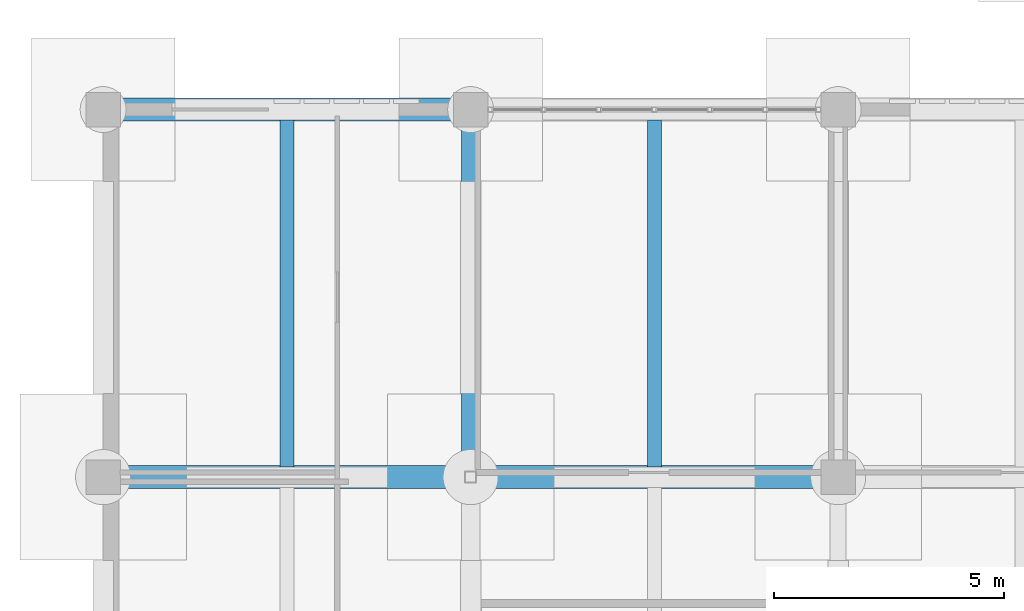
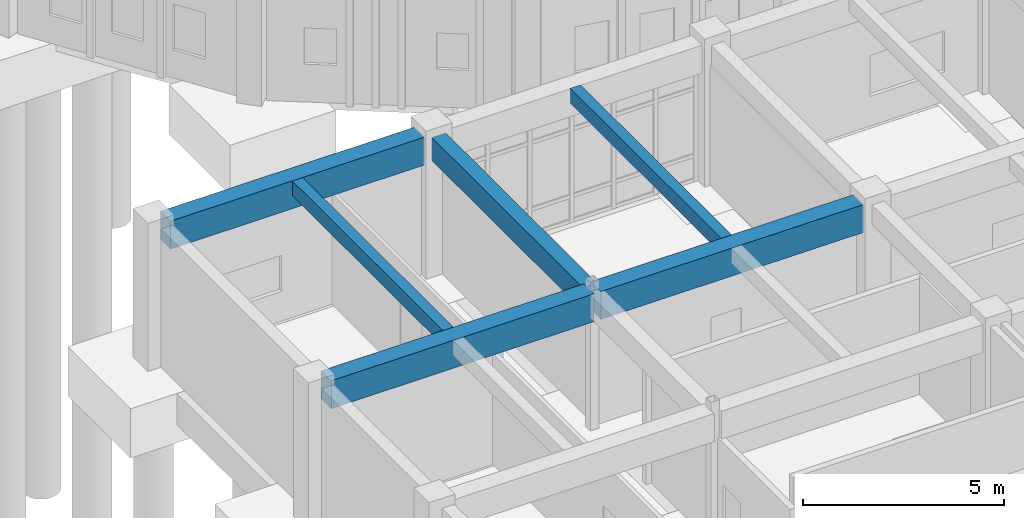
# One storey, part 55 of 153: 6 beams.
"""IFC4 building model written with IfcOpenShell, lengths in metres."""

import ifcopenshell
import ifcopenshell.guid

model = None  # the IFC model being written
_history = None  # IfcOwnerHistory: only IFC2X3 demands one
_inside = {}  # id of a spatial element -> (the spatial element, [elements in it])
_under = {}  # id of a project, library or spatial element -> (it, [spatial elements below it])
_declared = {}  # id of a project -> (the project, [libraries it declares])
_typed = {}  # id of a type object -> (the type object, [elements of that type])
_made_of = {}  # id of a material, layer set ... -> (it, [elements and type objects made of it])


def new_model(schema):
    """Start an empty IFC model of exactly this schema.

    Asked for "IFC4X3", IfcOpenShell would pick the latest addendum, in which some entities
    have other attributes; the version numbers below select the first issue.
    IFC2X3 requires an IfcOwnerHistory on every rooted entity: one is made here for all.
    """
    global model, _history
    if schema == "IFC4X3":
        model = ifcopenshell.file(schema_version=(4, 3, 0, 0))
    else:
        model = ifcopenshell.file(schema=schema)
    _inside.clear()
    _under.clear()
    _declared.clear()
    _typed.clear()
    _made_of.clear()
    _history = None
    if model.schema == "IFC2X3":
        org = make("IfcOrganization", Name="unknown")
        user = make(
            "IfcPersonAndOrganization",
            ThePerson=make("IfcPerson", FamilyName="unknown"),
            TheOrganization=org,
        )
        app = make(
            "IfcApplication",
            ApplicationDeveloper=org,
            Version="unknown",
            ApplicationFullName="unknown",
            ApplicationIdentifier="unknown",
        )
        _history = make(
            "IfcOwnerHistory",
            OwningUser=user,
            OwningApplication=app,
            ChangeAction="ADDED",
            CreationDate=0,
        )
    return model


def make(cls, **values):
    """One entity of the class cls with the attributes given. An attribute that is None is left unset."""
    return model.create_entity(
        cls, **{name: value for name, value in values.items() if value is not None}
    )


def rooted(cls, **values):
    """An entity with a GlobalId (a new one), such as an element, a storey or a relation."""
    return make(cls, GlobalId=ifcopenshell.guid.new(), OwnerHistory=_history, **values)


def si_unit(unit_type, name, prefix=None):
    """IfcSIUnit, for example si_unit("LENGTHUNIT", "METRE", prefix="MILLI")."""
    return make("IfcSIUnit", UnitType=unit_type, Prefix=prefix, Name=name)


def assignment(units):
    """IfcUnitAssignment: the units of a project."""
    return None if units is None else make("IfcUnitAssignment", Units=units)


def point(xyz):
    """IfcCartesianPoint."""
    return None if xyz is None else make("IfcCartesianPoint", Coordinates=xyz)


def direction(xyz):
    """IfcDirection."""
    return None if xyz is None else make("IfcDirection", DirectionRatios=xyz)


def frame(location, z_axis=None, x_axis=None):
    """IfcAxis2Placement3D, a coordinate frame: its origin and axes. An axis left out is left unset."""
    return make(
        "IfcAxis2Placement3D",
        Location=point(location),
        Axis=direction(z_axis),
        RefDirection=direction(x_axis),
    )


def frame_2d(location, x_axis=None):
    """IfcAxis2Placement2D, a coordinate frame in the plane: its origin and x axis."""
    return make(
        "IfcAxis2Placement2D", Location=point(location), RefDirection=direction(x_axis)
    )


def origin():
    """The frame at (0, 0, 0) with its axes left unset."""
    return frame((0.0, 0.0, 0.0))


def origin_2d():
    """The frame at (0, 0) in the plane with its x axis left unset."""
    return frame_2d((0.0, 0.0))


def place(relative_to, where):
    """IfcLocalPlacement: puts the frame where relative to a parent placement (None: the world)."""
    return make(
        "IfcLocalPlacement", PlacementRelTo=relative_to, RelativePlacement=where
    )


def context(
    kind, dimensions, precision=None, world=None, true_north=None, identifier=None
):
    """IfcGeometricRepresentationContext, for example the 3D "Model" context."""
    return make(
        "IfcGeometricRepresentationContext",
        ContextIdentifier=identifier,
        ContextType=kind,
        CoordinateSpaceDimension=dimensions,
        Precision=precision,
        WorldCoordinateSystem=world,
        TrueNorth=true_north,
    )


def subcontext(parent, identifier, kind, view, scale=None):
    """IfcGeometricRepresentationSubContext, for example "Body" below "Model"."""
    return make(
        "IfcGeometricRepresentationSubContext",
        ContextIdentifier=identifier,
        ContextType=kind,
        ParentContext=parent,
        TargetScale=scale,
        TargetView=view,
    )


def project(units=None, contexts=None):
    """IfcProject with its units and contexts."""
    return rooted(
        "IfcProject",
        Name="project",
        RepresentationContexts=contexts,
        UnitsInContext=assignment(units),
    )


def spatial(cls, under=None, at=None, **own):
    """A site, building, storey or space (cls), placed at a placement, below another one or the project."""
    s = rooted(cls, ObjectPlacement=at, **own)
    if under is not None:
        _under.setdefault(under.id(), (under, []))[1].append(s)
    return s


def profile(cls, at=None, kind="AREA", **sizes):
    """A parametric profile (cls). Its sizes go by their IFC names, for example OverallWidth=200.0."""
    return make(cls, ProfileType=kind, Position=at, **sizes)


def rectangle(**sizes):
    """IfcRectangleProfileDef."""
    return profile("IfcRectangleProfileDef", **sizes)


def extrude(swept, where, along, depth):
    """IfcExtrudedAreaSolid: the profile swept, set in the frame where, extruded along a direction by depth."""
    return make(
        "IfcExtrudedAreaSolid",
        SweptArea=swept,
        Position=where,
        ExtrudedDirection=direction(along),
        Depth=depth,
    )


def shape(context_of_items, identifier, shape_type, items):
    """IfcShapeRepresentation: the items that make up one representation, for example the "Body"."""
    return make(
        "IfcShapeRepresentation",
        ContextOfItems=context_of_items,
        RepresentationIdentifier=identifier,
        RepresentationType=shape_type,
        Items=items,
    )


def material(Name=None, Category=None):
    """IfcMaterial."""
    return make("IfcMaterial", Name=Name, Category=Category)


def material_profile(
    of_material, cross_section, Name=None, Category=None, Priority=None
):
    """IfcMaterialProfile: a cross section and its material."""
    return make(
        "IfcMaterialProfile",
        Name=Name,
        Material=of_material,
        Profile=cross_section,
        Priority=Priority,
        Category=Category,
    )


def profile_set(profiles, Name=None, composite=None):
    """IfcMaterialProfileSet."""
    return make(
        "IfcMaterialProfileSet",
        Name=Name,
        MaterialProfiles=profiles,
        CompositeProfile=composite,
    )


def made_of(thing, what):
    """Note that an element or type object is made of a material, layer set ...; save() writes the relation."""
    if what is not None:
        _made_of.setdefault(what.id(), (what, []))[1].append(thing)
    return thing


def type_object(cls, material=None, **own):
    """A type object (cls), such as IfcWallType, which elements share."""
    return made_of(rooted(cls, **own), material)


def element(
    cls,
    number,
    at=None,
    inside=None,
    cuts=None,
    type_object=None,
    material=None,
    context=None,
    identifier="Body",
    shape_type=None,
    held_by="IfcProductDefinitionShape",
    body=None,
    shapes=None,
    **own,
):
    """One element of the class cls, such as IfcWall. Its Tag is "e" and its number.

    at: its placement. inside: the storey or other place that contains it. cuts: it is an
    opening in that element (IfcRelVoidsElement). A single representation is given by context,
    identifier, shape_type and body (its items); several are given by shapes. held_by: the class
    of the entity that holds the representations. save() writes the other relations.
    """
    e = rooted(cls, Tag="e%d" % number, ObjectPlacement=at, **own)
    if body is not None:
        shapes = [shape(context, identifier, shape_type, body)]
    if shapes is not None:
        e.Representation = make(held_by, Representations=shapes)
    if inside is not None:
        _inside.setdefault(inside.id(), (inside, []))[1].append(e)
    if cuts is not None:
        rooted(
            "IfcRelVoidsElement", RelatingBuildingElement=cuts, RelatedOpeningElement=e
        )
    if type_object is not None:
        _typed.setdefault(type_object.id(), (type_object, []))[1].append(e)
    return made_of(e, material)


def aggregate(whole, parts):
    """IfcRelAggregates: a whole, such as a stair, and the parts it consists of."""
    return rooted("IfcRelAggregates", RelatingObject=whole, RelatedObjects=parts)


def save(model, path):
    """Write the relations noted so far, then the file.

    IfcRelAggregates (storeys below a building ...), IfcRelContainedInSpatialStructure (elements
    in a storey), IfcRelDefinesByType, IfcRelAssociatesMaterial and IfcRelDeclares: one each for
    every whole, place, type object, material and project.
    """
    for whole, parts in _under.values():
        aggregate(whole, parts)
    for where, things in _inside.values():
        rooted(
            "IfcRelContainedInSpatialStructure",
            RelatedElements=things,
            RelatingStructure=where,
        )
    for kind, things in _typed.values():
        rooted("IfcRelDefinesByType", RelatedObjects=things, RelatingType=kind)
    for what, things in _made_of.values():
        rooted("IfcRelAssociatesMaterial", RelatedObjects=things, RelatingMaterial=what)
    for by, libraries in _declared.values():
        rooted("IfcRelDeclares", RelatingContext=by, RelatedDefinitions=libraries)
    model.write(path)


model = new_model("IFC4")

# Units and contexts
model_context = context("Model", 3, precision=1e-05, world=origin(), true_north=direction((0.0, 1.0)))
body_context = subcontext(model_context, "Body", "Model", "MODEL_VIEW")
ifc_project = project(units=[si_unit("LENGTHUNIT", "METRE"), si_unit("AREAUNIT", "SQUARE_METRE"), si_unit("VOLUMEUNIT", "CUBIC_METRE"), si_unit("PLANEANGLEUNIT", "RADIAN"), si_unit("MASSUNIT", "GRAM", prefix="KILO")], contexts=[model_context])

# Site, building, storey
site_placement = place(None, origin())
site = spatial("IfcSite", under=ifc_project, at=site_placement, CompositionType="ELEMENT")
building_placement = place(site_placement, origin())
building = spatial("IfcBuilding", under=site, at=building_placement, Name="Celadon Cloister-Ring School", CompositionType="ELEMENT")
storey_placement = place(building_placement, origin())
storey = spatial("IfcBuildingStorey", under=building, at=storey_placement, Name="L00", CompositionType="ELEMENT", Elevation=0.0)

# Beams
ifc_material_1 = material(Name="Concrete C35/45", Category="concrete")
ifc_material_profile_1 = material_profile(ifc_material_1, rectangle(XDim=0.39990234375, YDim=0.699951171875, at=origin_2d()), Name="RC400X700")
ifc_profile_set_1 = profile_set([ifc_material_profile_1], Name="Concrete C35/45")
beam_type_1 = type_object("IfcBeamType", Name="BT-01", PredefinedType="BEAM", material=ifc_profile_set_1)
beam_1_placement = place(storey_placement, frame((8.0, 68.10009765625, 3.889892578125), z_axis=(0.0, 1.0, 0.0), x_axis=(-1.0, 0.0, 0.0)))
element("IfcBeam", 1, at=beam_1_placement, inside=storey, type_object=beam_type_1, Name="Beam 1496", PredefinedType="BEAM", context=body_context, shape_type="SweptSolid", body=[
    extrude(rectangle(XDim=0.39990234375, YDim=0.699951171875, at=origin_2d()), origin(), (0.0, 0.0, 1.0), 7.5498046875),
])
ifc_material_2 = material(Name="Concrete C35/45", Category="concrete")
ifc_material_profile_2 = material_profile(ifc_material_2, rectangle(XDim=0.5, YDim=0.85009765625, at=origin_2d()), Name="RC500X850")
ifc_profile_set_2 = profile_set([ifc_material_profile_2], Name="Concrete C35/45")
beam_type_2 = type_object("IfcBeamType", Name="GT-01", PredefinedType="USERDEFINED", material=ifc_profile_set_2)
for number, where, z_axis, x_axis, name in (
    (2, (0.35009765625, 68.0, 3.81494140625), (1.0, 0.0, 0.0), (0.0, 1.0, 0.0), "Beam 1487"),
    (3, (8.10009765625, 68.0, 3.81494140625), (1.0, 0.0, 0.0), (0.0, 1.0, 0.0), "Beam 1488"),
):
    element("IfcBeam", number, at=place(storey_placement, frame(where, z_axis=z_axis, x_axis=x_axis)), inside=storey, type_object=beam_type_2, Name=name, ObjectType="GIRDER", PredefinedType="USERDEFINED", context=body_context, shape_type="SweptSolid", body=[
        extrude(rectangle(XDim=0.5, YDim=0.85009765625, at=origin_2d()), origin(), (0.0, 0.0, 1.0), 7.5498046875),
    ])
beam_2_placement = place(storey_placement, frame((0.35009765625, 76.0, 3.81494140625), z_axis=(1.0, 0.0, 0.0), x_axis=(0.0, 1.0, 0.0)))
element("IfcBeam", 4, at=beam_2_placement, inside=storey, type_object=beam_type_2, Name="Beam 1491", ObjectType="GIRDER", PredefinedType="USERDEFINED", context=body_context, shape_type="SweptSolid", body=[
    extrude(rectangle(XDim=0.5, YDim=0.85009765625, at=origin_2d()), origin(), (0.0, 0.0, 1.0), 7.2998046875),
])
ifc_material_3 = material(Name="Concrete C35/45", Category="concrete")
ifc_material_profile_3 = material_profile(ifc_material_3, rectangle(XDim=0.300048828125, YDim=0.449951171875, at=origin_2d()), Name="RC300X450")
ifc_profile_set_3 = profile_set([ifc_material_profile_3], Name="Concrete C35/45")
beam_type_3 = type_object("IfcBeamType", Name="JT-01", PredefinedType="JOIST", material=ifc_profile_set_3)
for number, where, z_axis, x_axis, name in (
    (5, (4.0, 68.22509765625, 4.014892578125), (0.0, 1.0, 0.0), (-1.0, 0.0, 0.0), "Beam 1510"),
    (6, (12.0, 68.22509765625, 4.014892578125), (0.0, 1.0, 0.0), (-1.0, 0.0, 0.0), "Beam 1512"),
):
    element("IfcBeam", number, at=place(storey_placement, frame(where, z_axis=z_axis, x_axis=x_axis)), inside=storey, type_object=beam_type_3, Name=name, PredefinedType="JOIST", context=body_context, shape_type="SweptSolid", body=[
        extrude(rectangle(XDim=0.300048828125, YDim=0.449951171875, at=origin_2d()), origin(), (0.0, 0.0, 1.0), 7.5498046875),
    ])

save(model, "model.ifc")
